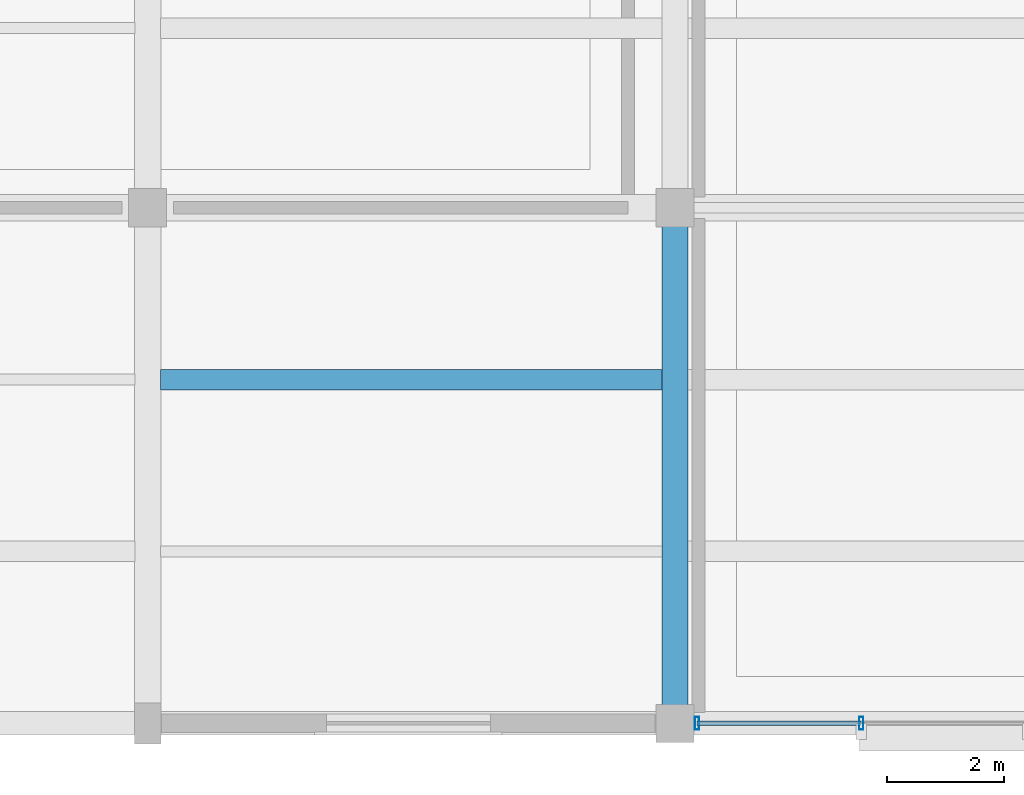
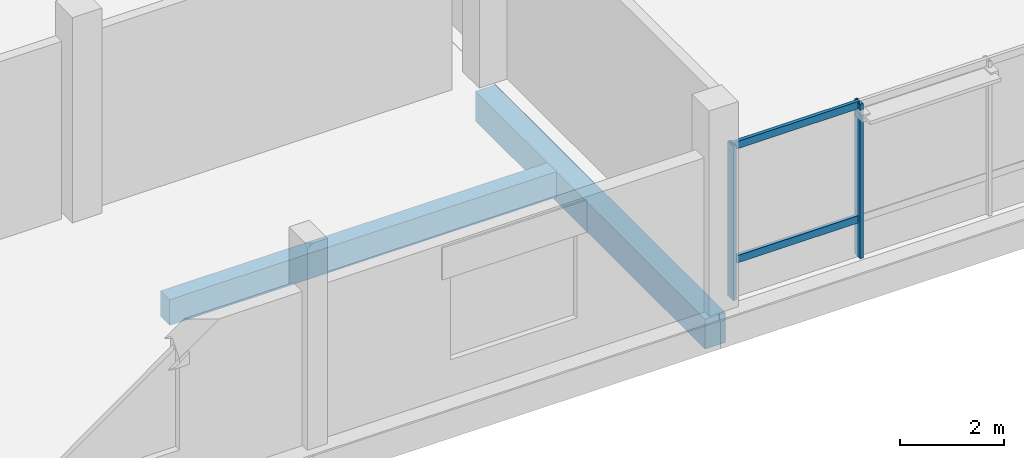
# One storey, part 10 of 71: 4 members, 2 beams, 1 element without a shape of its own.
"""IFC4 building model written with IfcOpenShell, lengths in metres."""

import ifcopenshell
import ifcopenshell.guid

model = None  # the IFC model being written
_history = None  # IfcOwnerHistory: only IFC2X3 demands one
_inside = {}  # id of a spatial element -> (the spatial element, [elements in it])
_under = {}  # id of a project, library or spatial element -> (it, [spatial elements below it])
_declared = {}  # id of a project -> (the project, [libraries it declares])
_typed = {}  # id of a type object -> (the type object, [elements of that type])
_made_of = {}  # id of a material, layer set ... -> (it, [elements and type objects made of it])


def new_model(schema):
    """Start an empty IFC model of exactly this schema.

    Asked for "IFC4X3", IfcOpenShell would pick the latest addendum, in which some entities
    have other attributes; the version numbers below select the first issue.
    IFC2X3 requires an IfcOwnerHistory on every rooted entity: one is made here for all.
    """
    global model, _history
    if schema == "IFC4X3":
        model = ifcopenshell.file(schema_version=(4, 3, 0, 0))
    else:
        model = ifcopenshell.file(schema=schema)
    _inside.clear()
    _under.clear()
    _declared.clear()
    _typed.clear()
    _made_of.clear()
    _history = None
    if model.schema == "IFC2X3":
        org = make("IfcOrganization", Name="unknown")
        user = make(
            "IfcPersonAndOrganization",
            ThePerson=make("IfcPerson", FamilyName="unknown"),
            TheOrganization=org,
        )
        app = make(
            "IfcApplication",
            ApplicationDeveloper=org,
            Version="unknown",
            ApplicationFullName="unknown",
            ApplicationIdentifier="unknown",
        )
        _history = make(
            "IfcOwnerHistory",
            OwningUser=user,
            OwningApplication=app,
            ChangeAction="ADDED",
            CreationDate=0,
        )
    return model


def make(cls, **values):
    """One entity of the class cls with the attributes given. An attribute that is None is left unset."""
    return model.create_entity(
        cls, **{name: value for name, value in values.items() if value is not None}
    )


def rooted(cls, **values):
    """An entity with a GlobalId (a new one), such as an element, a storey or a relation."""
    return make(cls, GlobalId=ifcopenshell.guid.new(), OwnerHistory=_history, **values)


def si_unit(unit_type, name, prefix=None):
    """IfcSIUnit, for example si_unit("LENGTHUNIT", "METRE", prefix="MILLI")."""
    return make("IfcSIUnit", UnitType=unit_type, Prefix=prefix, Name=name)


def assignment(units):
    """IfcUnitAssignment: the units of a project."""
    return None if units is None else make("IfcUnitAssignment", Units=units)


def point(xyz):
    """IfcCartesianPoint."""
    return None if xyz is None else make("IfcCartesianPoint", Coordinates=xyz)


def direction(xyz):
    """IfcDirection."""
    return None if xyz is None else make("IfcDirection", DirectionRatios=xyz)


def frame(location, z_axis=None, x_axis=None):
    """IfcAxis2Placement3D, a coordinate frame: its origin and axes. An axis left out is left unset."""
    return make(
        "IfcAxis2Placement3D",
        Location=point(location),
        Axis=direction(z_axis),
        RefDirection=direction(x_axis),
    )


def frame_2d(location, x_axis=None):
    """IfcAxis2Placement2D, a coordinate frame in the plane: its origin and x axis."""
    return make(
        "IfcAxis2Placement2D", Location=point(location), RefDirection=direction(x_axis)
    )


def origin():
    """The frame at (0, 0, 0) with its axes left unset."""
    return frame((0.0, 0.0, 0.0))


def origin_2d():
    """The frame at (0, 0) in the plane with its x axis left unset."""
    return frame_2d((0.0, 0.0))


def place(relative_to, where):
    """IfcLocalPlacement: puts the frame where relative to a parent placement (None: the world)."""
    return make(
        "IfcLocalPlacement", PlacementRelTo=relative_to, RelativePlacement=where
    )


def context(
    kind, dimensions, precision=None, world=None, true_north=None, identifier=None
):
    """IfcGeometricRepresentationContext, for example the 3D "Model" context."""
    return make(
        "IfcGeometricRepresentationContext",
        ContextIdentifier=identifier,
        ContextType=kind,
        CoordinateSpaceDimension=dimensions,
        Precision=precision,
        WorldCoordinateSystem=world,
        TrueNorth=true_north,
    )


def subcontext(parent, identifier, kind, view, scale=None):
    """IfcGeometricRepresentationSubContext, for example "Body" below "Model"."""
    return make(
        "IfcGeometricRepresentationSubContext",
        ContextIdentifier=identifier,
        ContextType=kind,
        ParentContext=parent,
        TargetScale=scale,
        TargetView=view,
    )


def project(units=None, contexts=None):
    """IfcProject with its units and contexts."""
    return rooted(
        "IfcProject",
        Name="project",
        RepresentationContexts=contexts,
        UnitsInContext=assignment(units),
    )


def spatial(cls, under=None, at=None, **own):
    """A site, building, storey or space (cls), placed at a placement, below another one or the project."""
    s = rooted(cls, ObjectPlacement=at, **own)
    if under is not None:
        _under.setdefault(under.id(), (under, []))[1].append(s)
    return s


def profile(cls, at=None, kind="AREA", **sizes):
    """A parametric profile (cls). Its sizes go by their IFC names, for example OverallWidth=200.0."""
    return make(cls, ProfileType=kind, Position=at, **sizes)


def rectangle(**sizes):
    """IfcRectangleProfileDef."""
    return profile("IfcRectangleProfileDef", **sizes)


def hollow_rectangle(**sizes):
    """IfcRectangleHollowProfileDef."""
    return profile("IfcRectangleHollowProfileDef", **sizes)


def extrude(swept, where, along, depth):
    """IfcExtrudedAreaSolid: the profile swept, set in the frame where, extruded along a direction by depth."""
    return make(
        "IfcExtrudedAreaSolid",
        SweptArea=swept,
        Position=where,
        ExtrudedDirection=direction(along),
        Depth=depth,
    )


def shape(context_of_items, identifier, shape_type, items):
    """IfcShapeRepresentation: the items that make up one representation, for example the "Body"."""
    return make(
        "IfcShapeRepresentation",
        ContextOfItems=context_of_items,
        RepresentationIdentifier=identifier,
        RepresentationType=shape_type,
        Items=items,
    )


def material(Name=None, Category=None):
    """IfcMaterial."""
    return make("IfcMaterial", Name=Name, Category=Category)


def layer(
    of_material, thickness, ventilated=None, Name=None, Category=None, Priority=None
):
    """IfcMaterialLayer: one layer of a wall or slab, of a material (None: an air gap)."""
    return make(
        "IfcMaterialLayer",
        Material=of_material,
        LayerThickness=thickness,
        IsVentilated=ventilated,
        Name=Name,
        Category=Category,
        Priority=Priority,
    )


def layer_set(layers, Name=None):
    """IfcMaterialLayerSet."""
    return make("IfcMaterialLayerSet", MaterialLayers=layers, LayerSetName=Name)


def material_profile(
    of_material, cross_section, Name=None, Category=None, Priority=None
):
    """IfcMaterialProfile: a cross section and its material."""
    return make(
        "IfcMaterialProfile",
        Name=Name,
        Material=of_material,
        Profile=cross_section,
        Priority=Priority,
        Category=Category,
    )


def profile_set(profiles, Name=None, composite=None):
    """IfcMaterialProfileSet."""
    return make(
        "IfcMaterialProfileSet",
        Name=Name,
        MaterialProfiles=profiles,
        CompositeProfile=composite,
    )


def made_of(thing, what):
    """Note that an element or type object is made of a material, layer set ...; save() writes the relation."""
    if what is not None:
        _made_of.setdefault(what.id(), (what, []))[1].append(thing)
    return thing


def type_object(cls, material=None, **own):
    """A type object (cls), such as IfcWallType, which elements share."""
    return made_of(rooted(cls, **own), material)


def element(
    cls,
    number,
    at=None,
    inside=None,
    cuts=None,
    type_object=None,
    material=None,
    context=None,
    identifier="Body",
    shape_type=None,
    held_by="IfcProductDefinitionShape",
    body=None,
    shapes=None,
    **own,
):
    """One element of the class cls, such as IfcWall. Its Tag is "e" and its number.

    at: its placement. inside: the storey or other place that contains it. cuts: it is an
    opening in that element (IfcRelVoidsElement). A single representation is given by context,
    identifier, shape_type and body (its items); several are given by shapes. held_by: the class
    of the entity that holds the representations. save() writes the other relations.
    """
    e = rooted(cls, Tag="e%d" % number, ObjectPlacement=at, **own)
    if body is not None:
        shapes = [shape(context, identifier, shape_type, body)]
    if shapes is not None:
        e.Representation = make(held_by, Representations=shapes)
    if inside is not None:
        _inside.setdefault(inside.id(), (inside, []))[1].append(e)
    if cuts is not None:
        rooted(
            "IfcRelVoidsElement", RelatingBuildingElement=cuts, RelatedOpeningElement=e
        )
    if type_object is not None:
        _typed.setdefault(type_object.id(), (type_object, []))[1].append(e)
    return made_of(e, material)


def aggregate(whole, parts):
    """IfcRelAggregates: a whole, such as a stair, and the parts it consists of."""
    return rooted("IfcRelAggregates", RelatingObject=whole, RelatedObjects=parts)


def save(model, path):
    """Write the relations noted so far, then the file.

    IfcRelAggregates (storeys below a building ...), IfcRelContainedInSpatialStructure (elements
    in a storey), IfcRelDefinesByType, IfcRelAssociatesMaterial and IfcRelDeclares: one each for
    every whole, place, type object, material and project.
    """
    for whole, parts in _under.values():
        aggregate(whole, parts)
    for where, things in _inside.values():
        rooted(
            "IfcRelContainedInSpatialStructure",
            RelatedElements=things,
            RelatingStructure=where,
        )
    for kind, things in _typed.values():
        rooted("IfcRelDefinesByType", RelatedObjects=things, RelatingType=kind)
    for what, things in _made_of.values():
        rooted("IfcRelAssociatesMaterial", RelatedObjects=things, RelatingMaterial=what)
    for by, libraries in _declared.values():
        rooted("IfcRelDeclares", RelatingContext=by, RelatedDefinitions=libraries)
    model.write(path)


model = new_model("IFC4")

# Units and contexts
model_context = context("Model", 3, precision=1e-05, world=origin(), true_north=direction((0.0, 1.0)))
body_context = subcontext(model_context, "Body", "Model", "MODEL_VIEW")
ifc_project = project(units=[si_unit("LENGTHUNIT", "METRE"), si_unit("AREAUNIT", "SQUARE_METRE"), si_unit("VOLUMEUNIT", "CUBIC_METRE"), si_unit("PLANEANGLEUNIT", "RADIAN"), si_unit("MASSUNIT", "GRAM", prefix="KILO")], contexts=[model_context])

# Site, building, storey
site_placement = place(None, origin())
site = spatial("IfcSite", under=ifc_project, at=site_placement, CompositionType="ELEMENT")
building_placement = place(site_placement, origin())
building = spatial("IfcBuilding", under=site, at=building_placement, Name="Meriwether Solvik Hall", CompositionType="ELEMENT")
storey_placement = place(building_placement, frame((0.0, 0.0, 5.10009765625)))
storey = spatial("IfcBuildingStorey", under=building, at=storey_placement, Name="L01", CompositionType="ELEMENT", Elevation=5.10009765625)

# Beams
ifc_material_1 = material(Name="Concrete C40/50", Category="concrete")
ifc_material_profile_1 = material_profile(ifc_material_1, rectangle(XDim=0.35009765625, YDim=0.60009765625, at=origin_2d()), Name="RCB-350X600")
ifc_profile_set_1 = profile_set([ifc_material_profile_1], Name="Concrete C40/50")
beam_type_1 = type_object("IfcBeamType", Name="BM-RC-350X600", PredefinedType="JOIST", material=ifc_profile_set_1)
beam_1_placement = place(storey_placement, frame((50.6201171875, 11.066650390625, -0.60009765625), z_axis=(1.0, 0.0, 0.0), x_axis=(0.0, 1.0, 0.0)))
element("IfcBeam", 1, at=beam_1_placement, inside=storey, type_object=beam_type_1, Name="Secondary Floor Joist 6/A_J2 (L01)", PredefinedType="JOIST", context=body_context, shape_type="SweptSolid", body=[
    extrude(rectangle(XDim=0.35009765625, YDim=0.60009765625, at=origin_2d()), origin(), (0.0, 0.0, 1.0), 8.559814453125),
])
ifc_material_2 = material(Name="Concrete C40/50", Category="concrete")
ifc_material_profile_2 = material_profile(ifc_material_2, rectangle(XDim=0.449951171875, YDim=0.699951171875, at=origin_2d()), Name="RCB-450X700")
ifc_profile_set_2 = profile_set([ifc_material_profile_2], Name="Concrete C40/50")
beam_type_2 = type_object("IfcBeamType", Name="BM-RC-450X700", PredefinedType="BEAM", material=ifc_profile_set_2)
beam_2_placement = place(storey_placement, frame((59.39990234375, 5.199951171875, -0.650146484375), z_axis=(0.0, 1.0, 0.0), x_axis=(-1.0, 0.0, 0.0)))
element("IfcBeam", 2, at=beam_2_placement, inside=storey, type_object=beam_type_2, Name="Podium Girder 7:A-B (L01)", PredefinedType="BEAM", context=body_context, shape_type="SweptSolid", body=[
    extrude(rectangle(XDim=0.449951171875, YDim=0.699951171875, at=origin_2d()), origin(), (0.0, 0.0, 1.0), 8.800048828125),
])

# Curtain wall, members
ifc_material_3 = material(Name="Thermally Broken Anodised Aluminium 6063-T6 and Low-E Glass", Category="aluminium")
ifc_layer = layer(ifc_material_3, 0.179931640625)
ifc_layer_set = layer_set([ifc_layer], Name="Thermally Broken Anodised Aluminium 6063-T6 and Low-E Glass")
curtain_wall_type = type_object("IfcCurtainWallType", Name="CW-SF-POD-B", PredefinedType="USERDEFINED", material=ifc_layer_set)
curtain_wall_placement = place(storey_placement, origin())
curtain_wall = element("IfcCurtainWall", 3, at=curtain_wall_placement, inside=storey, type_object=curtain_wall_type, Name="Curtain Wall wing_XA_7_6 (L01)", ObjectType="STICK STOREFRONT GLAZING", PredefinedType="USERDEFINED")
ifc_material_4 = material(Name="Anodised Aluminium 6063-T6", Category="aluminium")
ifc_material_profile_3 = material_profile(ifc_material_4, hollow_rectangle(XDim=0.074951171875, YDim=0.219970703125, WallThickness=0.005615234375, at=origin_2d()), Name="CWM-75X220")
ifc_profile_set_3 = profile_set([ifc_material_profile_3], Name="Anodised Aluminium 6063-T6")
member_type_1 = type_object("IfcMemberType", Name="CW-MUL-75X220", PredefinedType="MULLION", material=ifc_profile_set_3)
member_1_placement = place(storey_placement, frame((62.5791015625, 5.199951171875, 0.0), z_axis=(0.0, 0.0, 1.0), x_axis=(-1.0, 0.0, 0.0)))
member_1 = element("IfcMember", 4, at=member_1_placement, type_object=member_type_1, Name="Curtain Wall Mullion 3", PredefinedType="MULLION", context=body_context, shape_type="SweptSolid", body=[
    extrude(hollow_rectangle(XDim=0.074951171875, YDim=0.219970703125, WallThickness=0.005615234375, at=origin_2d()), origin(), (0.0, 0.0, 1.0), 3.60986328125),
])
member_2_placement = place(storey_placement, frame((59.77490234375, 5.199951171875, 0.0), z_axis=(0.0, 0.0, 1.0), x_axis=(-1.0, 0.0, 0.0)))
member_2 = element("IfcMember", 5, at=member_2_placement, type_object=member_type_1, Name="Curtain Wall Mullion 4", PredefinedType="MULLION", context=body_context, shape_type="SweptSolid", body=[
    extrude(hollow_rectangle(XDim=0.074951171875, YDim=0.219970703125, WallThickness=0.005615234375, at=origin_2d()), origin(), (0.0, 0.0, 1.0), 3.60986328125),
])
ifc_material_5 = material(Name="Anodised Aluminium 6063-T6", Category="aluminium")
ifc_material_profile_4 = material_profile(ifc_material_5, hollow_rectangle(XDim=0.074951171875, YDim=0.169921875, WallThickness=0.005615234375, at=origin_2d()), Name="CWT-75X170")
ifc_profile_set_4 = profile_set([ifc_material_profile_4], Name="Anodised Aluminium 6063-T6")
member_type_2 = type_object("IfcMemberType", Name="CW-TRN-75X170", PredefinedType="USERDEFINED", material=ifc_profile_set_4)
member_3_placement = place(storey_placement, frame((62.5791015625, 5.199951171875, 0.8798828125), z_axis=(-1.0, 0.0, 0.0), x_axis=(0.0, -1.0, 0.0)))
member_3 = element("IfcMember", 6, at=member_3_placement, type_object=member_type_2, Name="Curtain Wall Transom 3-sill", ObjectType="TRANSOM", PredefinedType="USERDEFINED", context=body_context, shape_type="SweptSolid", body=[
    extrude(hollow_rectangle(XDim=0.074951171875, YDim=0.169921875, WallThickness=0.005615234375, at=origin_2d()), origin(), (0.0, 0.0, 1.0), 2.80419921875),
])
member_4_placement = place(storey_placement, frame((62.5791015625, 5.199951171875, 3.5498046875), z_axis=(-1.0, 0.0, 0.0), x_axis=(0.0, -1.0, 0.0)))
member_4 = element("IfcMember", 7, at=member_4_placement, type_object=member_type_2, Name="Curtain Wall Transom 3-head", ObjectType="TRANSOM", PredefinedType="USERDEFINED", context=body_context, shape_type="SweptSolid", body=[
    extrude(hollow_rectangle(XDim=0.074951171875, YDim=0.169921875, WallThickness=0.005615234375, at=origin_2d()), origin(), (0.0, 0.0, 1.0), 2.80419921875),
])
aggregate(curtain_wall, [member_1, member_2, member_3, member_4])

save(model, "model.ifc")
